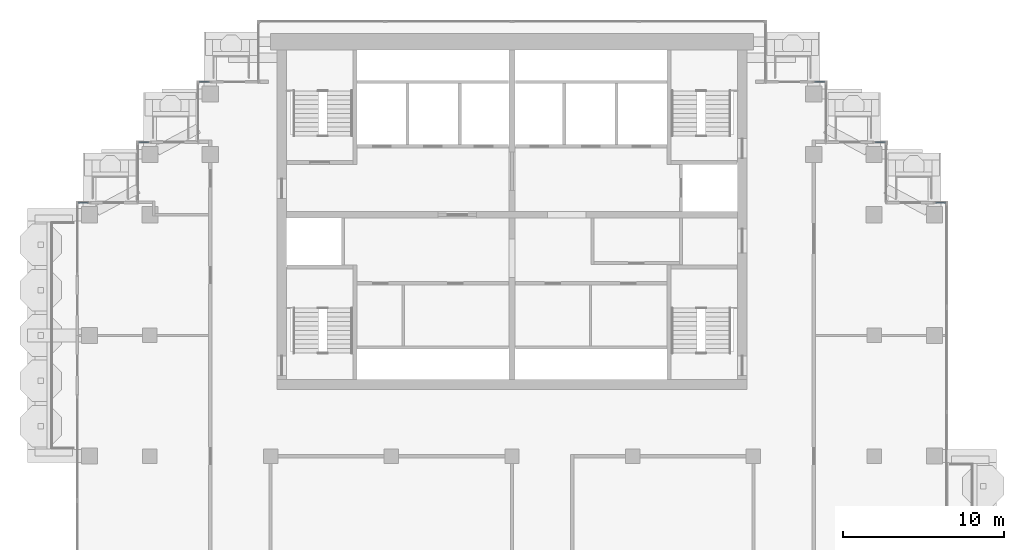
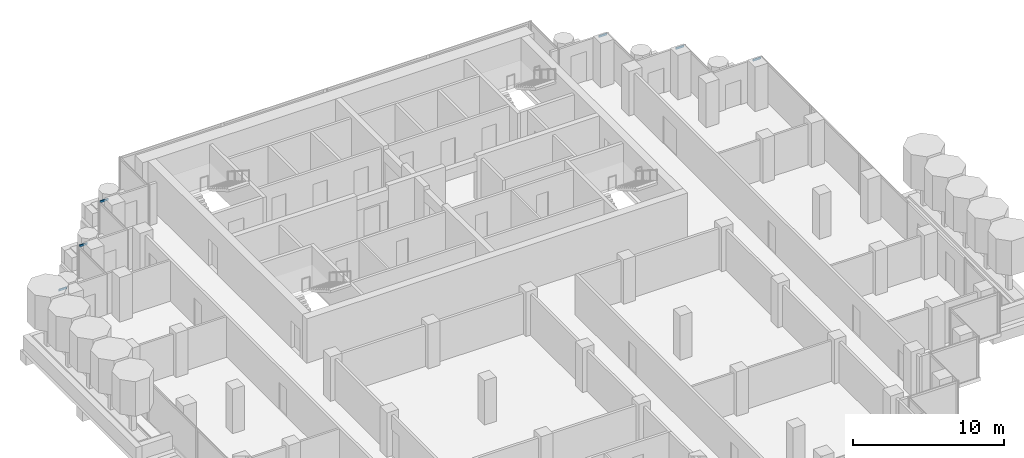
# One storey, part 7 of 17: 6 members, 6 elements without a shape of their own.
"""IFC4 building model written with IfcOpenShell, lengths in metres."""

from ifc_helpers import new_model, si_unit, direction, frame, origin, origin_2d, place, context, subcontext, project, spatial, rectangle, extrude, material, material_profile, profile_set, type_object, element, aggregate, save


model = new_model("IFC4")

# Units and contexts
model_context = context("Model", 3, precision=1e-05, world=origin(), true_north=direction((0.0, 1.0)))
body_context = subcontext(model_context, "Body", "Model", "MODEL_VIEW")
ifc_project = project(units=[si_unit("LENGTHUNIT", "METRE"), si_unit("AREAUNIT", "SQUARE_METRE"), si_unit("VOLUMEUNIT", "CUBIC_METRE"), si_unit("PLANEANGLEUNIT", "RADIAN"), si_unit("MASSUNIT", "GRAM", prefix="KILO")], contexts=[model_context])

# Site, building, storey
site_placement = place(None, origin())
site = spatial("IfcSite", under=ifc_project, at=site_placement, CompositionType="ELEMENT")
building_placement = place(site_placement, origin())
building = spatial("IfcBuilding", under=site, at=building_placement, Name="Pilkhan Gate Tower", CompositionType="ELEMENT")
storey_placement = place(building_placement, frame((0.0, 0.0, 206.699951171875)))
storey = spatial("IfcBuildingStorey", under=building, at=storey_placement, Name="L53", CompositionType="ELEMENT", Elevation=206.699951171875)

# Curtain wall, member
ifc_material_1 = material(Name="Pale anodised aluminium, clear low-iron double glazing", Category="aluminium")
curtain_wall_type = type_object("IfcCurtainWallType", Name="Office unitised curtain wall CW-O2", PredefinedType="USERDEFINED", material=ifc_material_1)
curtain_wall_1_placement = place(storey_placement, origin())
curtain_wall_1 = element("IfcCurtainWall", 1, at=curtain_wall_1_placement, inside=storey, type_object=curtain_wall_type, Name="Office unitised curtain wall CW-O2 L53 N", ObjectType="UNITISED CURTAIN WALL", PredefinedType="USERDEFINED")
ifc_material_2 = material(Name="Pale anodised aluminium", Category="aluminium")
ifc_material_profile = material_profile(ifc_material_2, rectangle(XDim=0.06494140625, YDim=0.1650390625, at=origin_2d()), Name="Transom 165x65")
ifc_profile_set = profile_set([ifc_material_profile], Name="Pale anodised aluminium")
member_type = type_object("IfcMemberType", Name="Transom CW-O2 165x65", PredefinedType="USERDEFINED", material=ifc_profile_set)
member_1_placement = place(storey_placement, frame((101.31494140625, 83.25, 3.217529296875), z_axis=(1.0, 0.0, 0.0), x_axis=(0.0, 1.0, 0.0)))
member_1 = element("IfcMember", 2, at=member_1_placement, type_object=member_type, Name="CW-O2 transom 1", ObjectType="TRANSOM", PredefinedType="USERDEFINED", context=body_context, shape_type="SweptSolid", body=[
    extrude(rectangle(XDim=0.06494140625, YDim=0.1650390625, at=origin_2d()), origin(), (0.0, 0.0, 1.0), 0.6201171875),
])
aggregate(curtain_wall_1, [member_1])

curtain_wall_2_placement = place(storey_placement, origin())
curtain_wall_2 = element("IfcCurtainWall", 3, at=curtain_wall_2_placement, inside=storey, type_object=curtain_wall_type, Name="Office unitised curtain wall CW-O2 L53 N", ObjectType="UNITISED CURTAIN WALL", PredefinedType="USERDEFINED")
member_2_placement = place(storey_placement, frame((97.56494140625, 87.0, 3.217529296875), z_axis=(1.0, 0.0, 0.0), x_axis=(0.0, 1.0, 0.0)))
member_2 = element("IfcMember", 4, at=member_2_placement, type_object=member_type, Name="CW-O2 transom 1", ObjectType="TRANSOM", PredefinedType="USERDEFINED", context=body_context, shape_type="SweptSolid", body=[
    extrude(rectangle(XDim=0.06494140625, YDim=0.1650390625, at=origin_2d()), origin(), (0.0, 0.0, 1.0), 0.6201171875),
])
aggregate(curtain_wall_2, [member_2])

curtain_wall_3_placement = place(storey_placement, origin())
curtain_wall_3 = element("IfcCurtainWall", 5, at=curtain_wall_3_placement, inside=storey, type_object=curtain_wall_type, Name="Office unitised curtain wall CW-O2 L53 N", ObjectType="UNITISED CURTAIN WALL", PredefinedType="USERDEFINED")
member_3_placement = place(storey_placement, frame((93.81494140625, 90.75, 3.217529296875), z_axis=(1.0, 0.0, 0.0), x_axis=(0.0, 1.0, 0.0)))
member_3 = element("IfcMember", 6, at=member_3_placement, type_object=member_type, Name="CW-O2 transom 1", ObjectType="TRANSOM", PredefinedType="USERDEFINED", context=body_context, shape_type="SweptSolid", body=[
    extrude(rectangle(XDim=0.06494140625, YDim=0.1650390625, at=origin_2d()), origin(), (0.0, 0.0, 1.0), 0.6201171875),
])
aggregate(curtain_wall_3, [member_3])

curtain_wall_4_placement = place(storey_placement, origin())
curtain_wall_4 = element("IfcCurtainWall", 7, at=curtain_wall_4_placement, inside=storey, type_object=curtain_wall_type, Name="Office unitised curtain wall CW-O2 L53 N", ObjectType="UNITISED CURTAIN WALL", PredefinedType="USERDEFINED")
member_4_placement = place(storey_placement, frame((55.56494140625, 90.75, 3.217529296875), z_axis=(1.0, 0.0, 0.0), x_axis=(0.0, 1.0, 0.0)))
member_4 = element("IfcMember", 8, at=member_4_placement, type_object=member_type, Name="CW-O2 transom 1", ObjectType="TRANSOM", PredefinedType="USERDEFINED", context=body_context, shape_type="SweptSolid", body=[
    extrude(rectangle(XDim=0.06494140625, YDim=0.1650390625, at=origin_2d()), origin(), (0.0, 0.0, 1.0), 0.6201171875),
])
aggregate(curtain_wall_4, [member_4])

curtain_wall_5_placement = place(storey_placement, origin())
curtain_wall_5 = element("IfcCurtainWall", 9, at=curtain_wall_5_placement, inside=storey, type_object=curtain_wall_type, Name="Office unitised curtain wall CW-O2 L53 N", ObjectType="UNITISED CURTAIN WALL", PredefinedType="USERDEFINED")
member_5_placement = place(storey_placement, frame((51.81494140625, 87.0, 3.217529296875), z_axis=(1.0, 0.0, 0.0), x_axis=(0.0, 1.0, 0.0)))
member_5 = element("IfcMember", 10, at=member_5_placement, type_object=member_type, Name="CW-O2 transom 1", ObjectType="TRANSOM", PredefinedType="USERDEFINED", context=body_context, shape_type="SweptSolid", body=[
    extrude(rectangle(XDim=0.06494140625, YDim=0.1650390625, at=origin_2d()), origin(), (0.0, 0.0, 1.0), 0.6201171875),
])
aggregate(curtain_wall_5, [member_5])

curtain_wall_6_placement = place(storey_placement, origin())
curtain_wall_6 = element("IfcCurtainWall", 11, at=curtain_wall_6_placement, inside=storey, type_object=curtain_wall_type, Name="Office unitised curtain wall CW-O2 L53 N", ObjectType="UNITISED CURTAIN WALL", PredefinedType="USERDEFINED")
member_6_placement = place(storey_placement, frame((48.06494140625, 83.25, 3.217529296875), z_axis=(1.0, 0.0, 0.0), x_axis=(0.0, 1.0, 0.0)))
member_6 = element("IfcMember", 12, at=member_6_placement, type_object=member_type, Name="CW-O2 transom 1", ObjectType="TRANSOM", PredefinedType="USERDEFINED", context=body_context, shape_type="SweptSolid", body=[
    extrude(rectangle(XDim=0.06494140625, YDim=0.1650390625, at=origin_2d()), origin(), (0.0, 0.0, 1.0), 0.6201171875),
])
aggregate(curtain_wall_6, [member_6])

save(model, "model.ifc")
